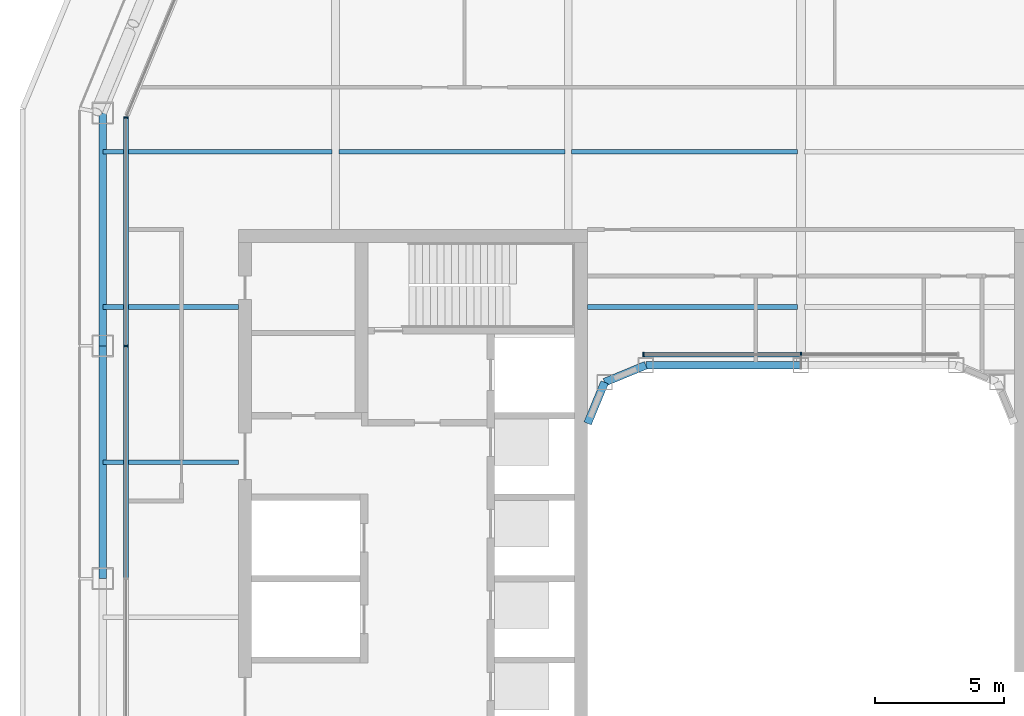
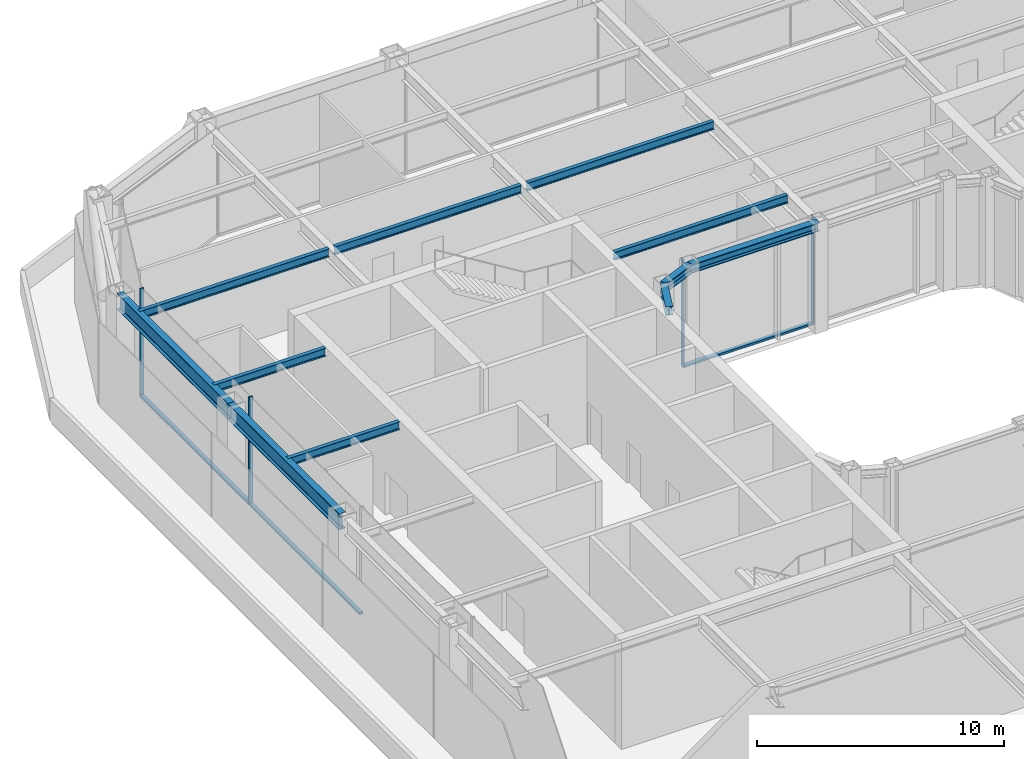
# One storey, part 6 of 19: 11 beams, 7 members, 2 elements without a shape of their own.
"""IFC4 building model written with IfcOpenShell, lengths in metres."""

import ifcopenshell
import ifcopenshell.guid

model = None  # the IFC model being written
_history = None  # IfcOwnerHistory: only IFC2X3 demands one
_inside = {}  # id of a spatial element -> (the spatial element, [elements in it])
_under = {}  # id of a project, library or spatial element -> (it, [spatial elements below it])
_declared = {}  # id of a project -> (the project, [libraries it declares])
_typed = {}  # id of a type object -> (the type object, [elements of that type])
_made_of = {}  # id of a material, layer set ... -> (it, [elements and type objects made of it])


def new_model(schema):
    """Start an empty IFC model of exactly this schema.

    Asked for "IFC4X3", IfcOpenShell would pick the latest addendum, in which some entities
    have other attributes; the version numbers below select the first issue.
    IFC2X3 requires an IfcOwnerHistory on every rooted entity: one is made here for all.
    """
    global model, _history
    if schema == "IFC4X3":
        model = ifcopenshell.file(schema_version=(4, 3, 0, 0))
    else:
        model = ifcopenshell.file(schema=schema)
    _inside.clear()
    _under.clear()
    _declared.clear()
    _typed.clear()
    _made_of.clear()
    _history = None
    if model.schema == "IFC2X3":
        org = make("IfcOrganization", Name="unknown")
        user = make(
            "IfcPersonAndOrganization",
            ThePerson=make("IfcPerson", FamilyName="unknown"),
            TheOrganization=org,
        )
        app = make(
            "IfcApplication",
            ApplicationDeveloper=org,
            Version="unknown",
            ApplicationFullName="unknown",
            ApplicationIdentifier="unknown",
        )
        _history = make(
            "IfcOwnerHistory",
            OwningUser=user,
            OwningApplication=app,
            ChangeAction="ADDED",
            CreationDate=0,
        )
    return model


def make(cls, **values):
    """One entity of the class cls with the attributes given. An attribute that is None is left unset."""
    return model.create_entity(
        cls, **{name: value for name, value in values.items() if value is not None}
    )


def rooted(cls, **values):
    """An entity with a GlobalId (a new one), such as an element, a storey or a relation."""
    return make(cls, GlobalId=ifcopenshell.guid.new(), OwnerHistory=_history, **values)


def si_unit(unit_type, name, prefix=None):
    """IfcSIUnit, for example si_unit("LENGTHUNIT", "METRE", prefix="MILLI")."""
    return make("IfcSIUnit", UnitType=unit_type, Prefix=prefix, Name=name)


def assignment(units):
    """IfcUnitAssignment: the units of a project."""
    return None if units is None else make("IfcUnitAssignment", Units=units)


def point(xyz):
    """IfcCartesianPoint."""
    return None if xyz is None else make("IfcCartesianPoint", Coordinates=xyz)


def direction(xyz):
    """IfcDirection."""
    return None if xyz is None else make("IfcDirection", DirectionRatios=xyz)


def frame(location, z_axis=None, x_axis=None):
    """IfcAxis2Placement3D, a coordinate frame: its origin and axes. An axis left out is left unset."""
    return make(
        "IfcAxis2Placement3D",
        Location=point(location),
        Axis=direction(z_axis),
        RefDirection=direction(x_axis),
    )


def frame_2d(location, x_axis=None):
    """IfcAxis2Placement2D, a coordinate frame in the plane: its origin and x axis."""
    return make(
        "IfcAxis2Placement2D", Location=point(location), RefDirection=direction(x_axis)
    )


def origin():
    """The frame at (0, 0, 0) with its axes left unset."""
    return frame((0.0, 0.0, 0.0))


def origin_2d():
    """The frame at (0, 0) in the plane with its x axis left unset."""
    return frame_2d((0.0, 0.0))


def place(relative_to, where):
    """IfcLocalPlacement: puts the frame where relative to a parent placement (None: the world)."""
    return make(
        "IfcLocalPlacement", PlacementRelTo=relative_to, RelativePlacement=where
    )


def context(
    kind, dimensions, precision=None, world=None, true_north=None, identifier=None
):
    """IfcGeometricRepresentationContext, for example the 3D "Model" context."""
    return make(
        "IfcGeometricRepresentationContext",
        ContextIdentifier=identifier,
        ContextType=kind,
        CoordinateSpaceDimension=dimensions,
        Precision=precision,
        WorldCoordinateSystem=world,
        TrueNorth=true_north,
    )


def subcontext(parent, identifier, kind, view, scale=None):
    """IfcGeometricRepresentationSubContext, for example "Body" below "Model"."""
    return make(
        "IfcGeometricRepresentationSubContext",
        ContextIdentifier=identifier,
        ContextType=kind,
        ParentContext=parent,
        TargetScale=scale,
        TargetView=view,
    )


def project(units=None, contexts=None):
    """IfcProject with its units and contexts."""
    return rooted(
        "IfcProject",
        Name="project",
        RepresentationContexts=contexts,
        UnitsInContext=assignment(units),
    )


def spatial(cls, under=None, at=None, **own):
    """A site, building, storey or space (cls), placed at a placement, below another one or the project."""
    s = rooted(cls, ObjectPlacement=at, **own)
    if under is not None:
        _under.setdefault(under.id(), (under, []))[1].append(s)
    return s


def profile(cls, at=None, kind="AREA", **sizes):
    """A parametric profile (cls). Its sizes go by their IFC names, for example OverallWidth=200.0."""
    return make(cls, ProfileType=kind, Position=at, **sizes)


def rectangle(**sizes):
    """IfcRectangleProfileDef."""
    return profile("IfcRectangleProfileDef", **sizes)


def i_section(**sizes):
    """IfcIShapeProfileDef."""
    return profile("IfcIShapeProfileDef", **sizes)


def extrude(swept, where, along, depth):
    """IfcExtrudedAreaSolid: the profile swept, set in the frame where, extruded along a direction by depth."""
    return make(
        "IfcExtrudedAreaSolid",
        SweptArea=swept,
        Position=where,
        ExtrudedDirection=direction(along),
        Depth=depth,
    )


def shape(context_of_items, identifier, shape_type, items):
    """IfcShapeRepresentation: the items that make up one representation, for example the "Body"."""
    return make(
        "IfcShapeRepresentation",
        ContextOfItems=context_of_items,
        RepresentationIdentifier=identifier,
        RepresentationType=shape_type,
        Items=items,
    )


def material(Name=None, Category=None):
    """IfcMaterial."""
    return make("IfcMaterial", Name=Name, Category=Category)


def layer(
    of_material, thickness, ventilated=None, Name=None, Category=None, Priority=None
):
    """IfcMaterialLayer: one layer of a wall or slab, of a material (None: an air gap)."""
    return make(
        "IfcMaterialLayer",
        Material=of_material,
        LayerThickness=thickness,
        IsVentilated=ventilated,
        Name=Name,
        Category=Category,
        Priority=Priority,
    )


def layer_set(layers, Name=None):
    """IfcMaterialLayerSet."""
    return make("IfcMaterialLayerSet", MaterialLayers=layers, LayerSetName=Name)


def material_profile(
    of_material, cross_section, Name=None, Category=None, Priority=None
):
    """IfcMaterialProfile: a cross section and its material."""
    return make(
        "IfcMaterialProfile",
        Name=Name,
        Material=of_material,
        Profile=cross_section,
        Priority=Priority,
        Category=Category,
    )


def profile_set(profiles, Name=None, composite=None):
    """IfcMaterialProfileSet."""
    return make(
        "IfcMaterialProfileSet",
        Name=Name,
        MaterialProfiles=profiles,
        CompositeProfile=composite,
    )


def made_of(thing, what):
    """Note that an element or type object is made of a material, layer set ...; save() writes the relation."""
    if what is not None:
        _made_of.setdefault(what.id(), (what, []))[1].append(thing)
    return thing


def type_object(cls, material=None, **own):
    """A type object (cls), such as IfcWallType, which elements share."""
    return made_of(rooted(cls, **own), material)


def element(
    cls,
    number,
    at=None,
    inside=None,
    cuts=None,
    type_object=None,
    material=None,
    context=None,
    identifier="Body",
    shape_type=None,
    held_by="IfcProductDefinitionShape",
    body=None,
    shapes=None,
    **own,
):
    """One element of the class cls, such as IfcWall. Its Tag is "e" and its number.

    at: its placement. inside: the storey or other place that contains it. cuts: it is an
    opening in that element (IfcRelVoidsElement). A single representation is given by context,
    identifier, shape_type and body (its items); several are given by shapes. held_by: the class
    of the entity that holds the representations. save() writes the other relations.
    """
    e = rooted(cls, Tag="e%d" % number, ObjectPlacement=at, **own)
    if body is not None:
        shapes = [shape(context, identifier, shape_type, body)]
    if shapes is not None:
        e.Representation = make(held_by, Representations=shapes)
    if inside is not None:
        _inside.setdefault(inside.id(), (inside, []))[1].append(e)
    if cuts is not None:
        rooted(
            "IfcRelVoidsElement", RelatingBuildingElement=cuts, RelatedOpeningElement=e
        )
    if type_object is not None:
        _typed.setdefault(type_object.id(), (type_object, []))[1].append(e)
    return made_of(e, material)


def aggregate(whole, parts):
    """IfcRelAggregates: a whole, such as a stair, and the parts it consists of."""
    return rooted("IfcRelAggregates", RelatingObject=whole, RelatedObjects=parts)


def save(model, path):
    """Write the relations noted so far, then the file.

    IfcRelAggregates (storeys below a building ...), IfcRelContainedInSpatialStructure (elements
    in a storey), IfcRelDefinesByType, IfcRelAssociatesMaterial and IfcRelDeclares: one each for
    every whole, place, type object, material and project.
    """
    for whole, parts in _under.values():
        aggregate(whole, parts)
    for where, things in _inside.values():
        rooted(
            "IfcRelContainedInSpatialStructure",
            RelatedElements=things,
            RelatingStructure=where,
        )
    for kind, things in _typed.values():
        rooted("IfcRelDefinesByType", RelatedObjects=things, RelatingType=kind)
    for what, things in _made_of.values():
        rooted("IfcRelAssociatesMaterial", RelatedObjects=things, RelatingMaterial=what)
    for by, libraries in _declared.values():
        rooted("IfcRelDeclares", RelatingContext=by, RelatedDefinitions=libraries)
    model.write(path)


model = new_model("IFC4")

# Units and contexts
model_context = context("Model", 3, precision=1e-05, world=origin(), true_north=direction((0.0, 1.0)))
body_context = subcontext(model_context, "Body", "Model", "MODEL_VIEW")
ifc_project = project(units=[si_unit("LENGTHUNIT", "METRE"), si_unit("AREAUNIT", "SQUARE_METRE"), si_unit("VOLUMEUNIT", "CUBIC_METRE"), si_unit("PLANEANGLEUNIT", "RADIAN"), si_unit("MASSUNIT", "GRAM", prefix="KILO")], contexts=[model_context])

# Site, building, storey
site_placement = place(None, origin())
site = spatial("IfcSite", under=ifc_project, at=site_placement, CompositionType="ELEMENT")
building_placement = place(site_placement, origin())
building = spatial("IfcBuilding", under=site, at=building_placement, Name="Siwar Civic Tower", CompositionType="ELEMENT")
storey_placement = place(building_placement, frame((0.0, 0.0, 187.199951171875)))
storey = spatial("IfcBuildingStorey", under=building, at=storey_placement, Name="L40", CompositionType="ELEMENT", Elevation=187.199951171875)

# Curtain wall, members
ifc_material_1 = material(Name="Aluminium and glass", Category="aluminium")
ifc_layer_1 = layer(ifc_material_1, 0.179931640625)
ifc_layer_set_1 = layer_set([ifc_layer_1], Name="Aluminium and glass")
curtain_wall_type_1 = type_object("IfcCurtainWallType", Name="ENV-CW-C", PredefinedType="NOTDEFINED", material=ifc_layer_set_1)
curtain_wall_1_placement = place(storey_placement, origin())
curtain_wall_1 = element("IfcCurtainWall", 1, at=curtain_wall_1_placement, inside=storey, type_object=curtain_wall_type_1, Name="Curtain wall C W", PredefinedType="NOTDEFINED")
ifc_material_2 = material(Name="Aluminium 6063-T6", Category="aluminium")
ifc_material_profile_1 = material_profile(ifc_material_2, rectangle(XDim=0.179931640625, YDim=0.06005859375, at=origin_2d()), Name="AL 180x60")
ifc_profile_set_1 = profile_set([ifc_material_profile_1], Name="Aluminium 6063-T6")
member_type_1 = type_object("IfcMemberType", Name="ENV-MULLION-C", PredefinedType="MULLION", material=ifc_profile_set_1)
member_1_placement = place(storey_placement, frame((-26.10009765625, 17.821044921875, 0.0), z_axis=(0.0, 0.0, 1.0), x_axis=(1.0, 0.0, 0.0)))
member_1 = element("IfcMember", 2, at=member_1_placement, type_object=member_type_1, Name="Mullion C W 1", PredefinedType="MULLION", context=body_context, shape_type="SweptSolid", body=[
    extrude(rectangle(XDim=0.179931640625, YDim=0.06005859375, at=origin_2d()), origin(), (0.0, 0.0, 1.0), 5.35009765625),
])
member_2_placement = place(storey_placement, frame((-26.10009765625, 9.0, 0.0), z_axis=(0.0, 0.0, 1.0), x_axis=(1.0, 0.0, 0.0)))
member_2 = element("IfcMember", 3, at=member_2_placement, type_object=member_type_1, Name="Mullion C W 2", PredefinedType="MULLION", context=body_context, shape_type="SweptSolid", body=[
    extrude(rectangle(XDim=0.179931640625, YDim=0.06005859375, at=origin_2d()), origin(), (0.0, 0.0, 1.0), 5.35009765625),
])

ifc_material_3 = material(Name="Aluminium and glass", Category="aluminium")
ifc_layer_2 = layer(ifc_material_3, 0.179931640625)
ifc_layer_set_2 = layer_set([ifc_layer_2], Name="Aluminium and glass")
curtain_wall_type_2 = type_object("IfcCurtainWallType", Name="ENV-CW-W", PredefinedType="NOTDEFINED", material=ifc_layer_set_2)
curtain_wall_2_placement = place(storey_placement, origin())
curtain_wall_2 = element("IfcCurtainWall", 4, at=curtain_wall_2_placement, inside=storey, type_object=curtain_wall_type_2, Name="Curtain wall W WN", PredefinedType="NOTDEFINED")
ifc_material_4 = material(Name="Aluminium 6063-T6", Category="aluminium")
ifc_material_profile_2 = material_profile(ifc_material_4, rectangle(XDim=0.179931640625, YDim=0.06005859375, at=origin_2d()), Name="AL 180x60")
ifc_profile_set_2 = profile_set([ifc_material_profile_2], Name="Aluminium 6063-T6")
member_type_2 = type_object("IfcMemberType", Name="ENV-MULLION-W", PredefinedType="MULLION", material=ifc_profile_set_2)
member_3_placement = place(storey_placement, frame((0.0, 8.659912109375, 0.0), z_axis=(0.0, 0.0, 1.0), x_axis=(0.0, -1.0, 0.0)))
member_3 = element("IfcMember", 5, at=member_3_placement, type_object=member_type_2, Name="Mullion W WN 2", PredefinedType="MULLION", context=body_context, shape_type="SweptSolid", body=[
    extrude(rectangle(XDim=0.179931640625, YDim=0.06005859375, at=origin_2d()), origin(), (0.0, 0.0, 1.0), 5.35009765625),
])
member_4_placement = place(storey_placement, frame((-6.08154296875, 8.659912109375, 0.0), z_axis=(0.0, 0.0, 1.0), x_axis=(0.0, -1.0, 0.0)))
member_4 = element("IfcMember", 6, at=member_4_placement, type_object=member_type_2, Name="Mullion W WN 3", PredefinedType="MULLION", context=body_context, shape_type="SweptSolid", body=[
    extrude(rectangle(XDim=0.179931640625, YDim=0.06005859375, at=origin_2d()), origin(), (0.0, 0.0, 1.0), 5.35009765625),
])

# Member
ifc_material_5 = material(Name="Aluminium 6063-T6", Category="aluminium")
ifc_material_profile_3 = material_profile(ifc_material_5, rectangle(XDim=0.179931640625, YDim=0.10009765625, at=origin_2d()), Name="AL 180x100")
ifc_profile_set_3 = profile_set([ifc_material_profile_3], Name="Aluminium 6063-T6")
member_type_3 = type_object("IfcMemberType", Name="ENV-TRANSOM-C", PredefinedType="USERDEFINED", material=ifc_profile_set_3)
member_5_placement = place(storey_placement, frame((-26.10009765625, 17.791015625, 0.050048828125), z_axis=(0.0, -1.0, 0.0), x_axis=(1.0, 0.0, 0.0)))
member_5 = element("IfcMember", 7, at=member_5_placement, type_object=member_type_3, Name="Transom C W 1", ObjectType="TRANSOM", PredefinedType="USERDEFINED", context=body_context, shape_type="SweptSolid", body=[
    extrude(rectangle(XDim=0.179931640625, YDim=0.10009765625, at=origin_2d()), origin(), (0.0, 0.0, 1.0), 8.760986328125),
])

member_6_placement = place(storey_placement, frame((-26.10009765625, 8.969970703125, 0.050048828125), z_axis=(0.0, -1.0, 0.0), x_axis=(1.0, 0.0, 0.0)))
member_6 = element("IfcMember", 8, at=member_6_placement, type_object=member_type_3, Name="Transom C W 2", ObjectType="TRANSOM", PredefinedType="USERDEFINED", context=body_context, shape_type="SweptSolid", body=[
    extrude(rectangle(XDim=0.179931640625, YDim=0.10009765625, at=origin_2d()), origin(), (0.0, 0.0, 1.0), 8.93994140625),
])

aggregate(curtain_wall_1, [member_1, member_2, member_5, member_6])

ifc_material_6 = material(Name="Aluminium 6063-T6", Category="aluminium")
ifc_material_profile_4 = material_profile(ifc_material_6, rectangle(XDim=0.179931640625, YDim=0.10009765625, at=origin_2d()), Name="AL 180x100")
ifc_profile_set_4 = profile_set([ifc_material_profile_4], Name="Aluminium 6063-T6")
member_type_4 = type_object("IfcMemberType", Name="ENV-TRANSOM-W", PredefinedType="USERDEFINED", material=ifc_profile_set_4)
member_7_placement = place(storey_placement, frame((-0.030029296875, 8.659912109375, 0.050048828125), z_axis=(-1.0, 0.0, 0.0), x_axis=(0.0, -1.0, 0.0)))
member_7 = element("IfcMember", 9, at=member_7_placement, type_object=member_type_4, Name="Transom W WN 2", ObjectType="TRANSOM", PredefinedType="USERDEFINED", context=body_context, shape_type="SweptSolid", body=[
    extrude(rectangle(XDim=0.179931640625, YDim=0.10009765625, at=origin_2d()), origin(), (0.0, 0.0, 1.0), 6.021484375),
])

aggregate(curtain_wall_2, [member_3, member_4, member_7])

# Beams
ifc_material_7 = material(Name="Steel S355", Category="steel")
ifc_material_profile_5 = material_profile(ifc_material_7, i_section(OverallWidth=0.179931640625, OverallDepth=0.39990234375, WebThickness=0.008544921875, FlangeThickness=0.013427734375, FilletRadius=0.02099609375, at=origin_2d()), Name="IPE400")
ifc_profile_set_5 = profile_set([ifc_material_profile_5], Name="Steel S355")
beam_type_1 = type_object("IfcBeamType", Name="STR-FB-IPE400", PredefinedType="JOIST", material=ifc_profile_set_5)
for number, where, z_axis, x_axis, name in (
    (10, (-27.0, 4.5, 5.150146484375), (1.0, 0.0, 0.0), (0.0, 1.0, 0.0), "L40/bm/F025"),
    (11, (-27.0, 10.5, 5.150146484375), (1.0, 0.0, 0.0), (0.0, 1.0, 0.0), "L40/bm/F027"),
):
    element("IfcBeam", number, at=place(storey_placement, frame(where, z_axis=z_axis, x_axis=x_axis)), inside=storey, type_object=beam_type_1, Name=name, PredefinedType="JOIST", context=body_context, shape_type="SweptSolid", body=[
        extrude(i_section(OverallWidth=0.179931640625, OverallDepth=0.39990234375, WebThickness=0.008544921875, FlangeThickness=0.013427734375, FilletRadius=0.02099609375, at=origin_2d()), origin(), (0.0, 0.0, 1.0), 5.25),
    ])
beam_1_placement = place(storey_placement, frame((-8.25, 10.5, 5.150146484375), z_axis=(1.0, 0.0, 0.0), x_axis=(0.0, 1.0, 0.0)))
element("IfcBeam", 12, at=beam_1_placement, inside=storey, type_object=beam_type_1, Name="L40/bm/F028", PredefinedType="JOIST", context=body_context, shape_type="SweptSolid", body=[
    extrude(i_section(OverallWidth=0.179931640625, OverallDepth=0.39990234375, WebThickness=0.008544921875, FlangeThickness=0.013427734375, FilletRadius=0.02099609375, at=origin_2d()), origin(), (0.0, 0.0, 1.0), 8.1201171875),
])
beam_2_placement = place(storey_placement, frame((-27.0, 16.5, 5.150146484375), z_axis=(1.0, 0.0, 0.0), x_axis=(0.0, 1.0, 0.0)))
element("IfcBeam", 13, at=beam_2_placement, inside=storey, type_object=beam_type_1, Name="L40/bm/F031", PredefinedType="JOIST", context=body_context, shape_type="SweptSolid", body=[
    extrude(i_section(OverallWidth=0.179931640625, OverallDepth=0.39990234375, WebThickness=0.008544921875, FlangeThickness=0.013427734375, FilletRadius=0.02099609375, at=origin_2d()), origin(), (0.0, 0.0, 1.0), 8.8701171875),
])
for number, where, z_axis, x_axis, name in (
    (14, (-17.8701171875, 16.5, 5.150146484375), (1.0, 0.0, 0.0), (0.0, 1.0, 0.0), "L40/bm/F032"),
    (15, (-8.8701171875, 16.5, 5.150146484375), (1.0, 0.0, 0.0), (0.0, 1.0, 0.0), "L40/bm/F033"),
):
    element("IfcBeam", number, at=place(storey_placement, frame(where, z_axis=z_axis, x_axis=x_axis)), inside=storey, type_object=beam_type_1, Name=name, PredefinedType="JOIST", context=body_context, shape_type="SweptSolid", body=[
        extrude(i_section(OverallWidth=0.179931640625, OverallDepth=0.39990234375, WebThickness=0.008544921875, FlangeThickness=0.013427734375, FilletRadius=0.02099609375, at=origin_2d()), origin(), (0.0, 0.0, 1.0), 8.740234375),
    ])
ifc_material_8 = material(Name="Steel S355", Category="steel")
ifc_material_profile_6 = material_profile(ifc_material_8, i_section(OverallWidth=0.306884765625, OverallDepth=0.431884765625, WebThickness=0.02099609375, FlangeThickness=0.0400390625, FilletRadius=0.027099609375, at=origin_2d()), Name="HEM400")
ifc_profile_set_6 = profile_set([ifc_material_profile_6], Name="Steel S355")
beam_type_2 = type_object("IfcBeamType", Name="STR-RB-HEM400", PredefinedType="BEAM", material=ifc_profile_set_6)
beam_3_placement = place(storey_placement, frame((-7.591064453125, 7.591064453125, 5.134033203125), z_axis=(0.923901072997, 0.382631424892, 0.0), x_axis=(-0.382631424892, 0.923901072997, 0.0)))
element("IfcBeam", 16, at=beam_3_placement, inside=storey, type_object=beam_type_2, Name="L40/bm/RN0", PredefinedType="BEAM", context=body_context, shape_type="SweptSolid", body=[
    extrude(i_section(OverallWidth=0.306884765625, OverallDepth=0.431884765625, WebThickness=0.02099609375, FlangeThickness=0.0400390625, FilletRadius=0.027099609375, at=origin_2d()), origin(), (0.0, 0.0, 1.0), 1.72216796875),
])
beam_4_placement = place(storey_placement, frame((-6.0, 8.25, 5.134033203125), z_axis=(1.0, 0.0, 0.0), x_axis=(0.0, 1.0, 0.0)))
element("IfcBeam", 17, at=beam_4_placement, inside=storey, type_object=beam_type_2, Name="L40/bm/RN1", PredefinedType="BEAM", context=body_context, shape_type="SweptSolid", body=[
    extrude(i_section(OverallWidth=0.306884765625, OverallDepth=0.431884765625, WebThickness=0.02099609375, FlangeThickness=0.0400390625, FilletRadius=0.027099609375, at=origin_2d()), origin(), (0.0, 0.0, 1.0), 6.0),
])
beam_5_placement = place(storey_placement, frame((-7.591064453125, 7.591064453125, 5.134033203125), z_axis=(-0.382631424892, -0.923901072997, 0.0), x_axis=(0.923901072997, -0.382631424892, 0.0)))
element("IfcBeam", 18, at=beam_5_placement, inside=storey, type_object=beam_type_2, Name="L40/bm/RNEW", PredefinedType="BEAM", context=body_context, shape_type="SweptSolid", body=[
    extrude(i_section(OverallWidth=0.306884765625, OverallDepth=0.431884765625, WebThickness=0.02099609375, FlangeThickness=0.0400390625, FilletRadius=0.027099609375, at=origin_2d()), origin(), (0.0, 0.0, 1.0), 1.72216796875),
])
ifc_material_9 = material(Name="Steel S355", Category="steel")
ifc_material_profile_7 = material_profile(ifc_material_9, i_section(OverallWidth=0.300048828125, OverallDepth=0.800048828125, WebThickness=0.017578125, FlangeThickness=0.032958984375, FilletRadius=0.030029296875, at=origin_2d()), Name="HEB800")
ifc_profile_set_7 = profile_set([ifc_material_profile_7], Name="Steel S355")
beam_type_3 = type_object("IfcBeamType", Name="STR-SB-HEB800", PredefinedType="BEAM", material=ifc_profile_set_7)
for number, where, z_axis, x_axis, name in (
    (19, (-27.0, 18.0, 4.949951171875), (0.0, -1.0, 0.0), (1.0, 0.0, 0.0), "L40/bm/SW-0"),
    (20, (-27.0, 9.0, 4.949951171875), (0.0, -1.0, 0.0), (1.0, 0.0, 0.0), "L40/bm/SW-1"),
):
    element("IfcBeam", number, at=place(storey_placement, frame(where, z_axis=z_axis, x_axis=x_axis)), inside=storey, type_object=beam_type_3, Name=name, PredefinedType="BEAM", context=body_context, shape_type="SweptSolid", body=[
        extrude(i_section(OverallWidth=0.300048828125, OverallDepth=0.800048828125, WebThickness=0.017578125, FlangeThickness=0.032958984375, FilletRadius=0.030029296875, at=origin_2d()), origin(), (0.0, 0.0, 1.0), 9.0),
    ])

save(model, "model.ifc")
